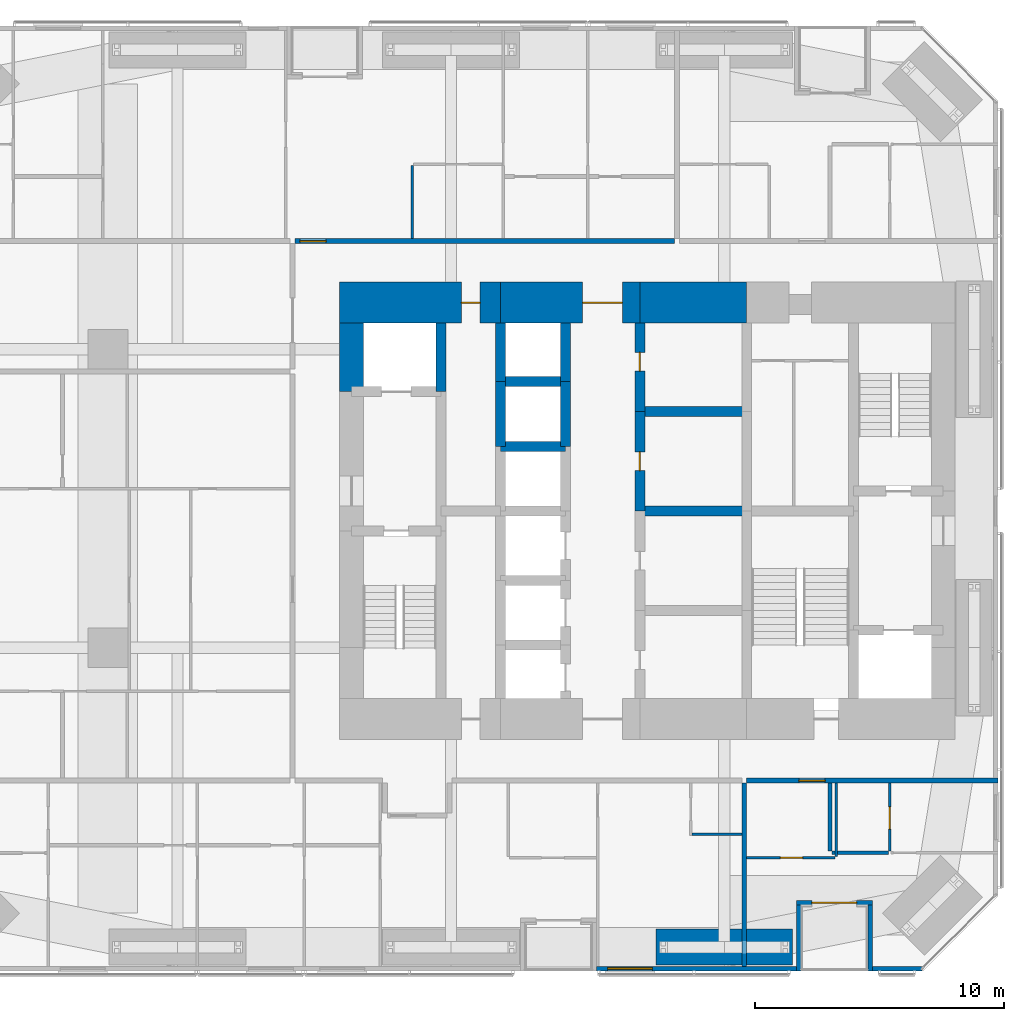
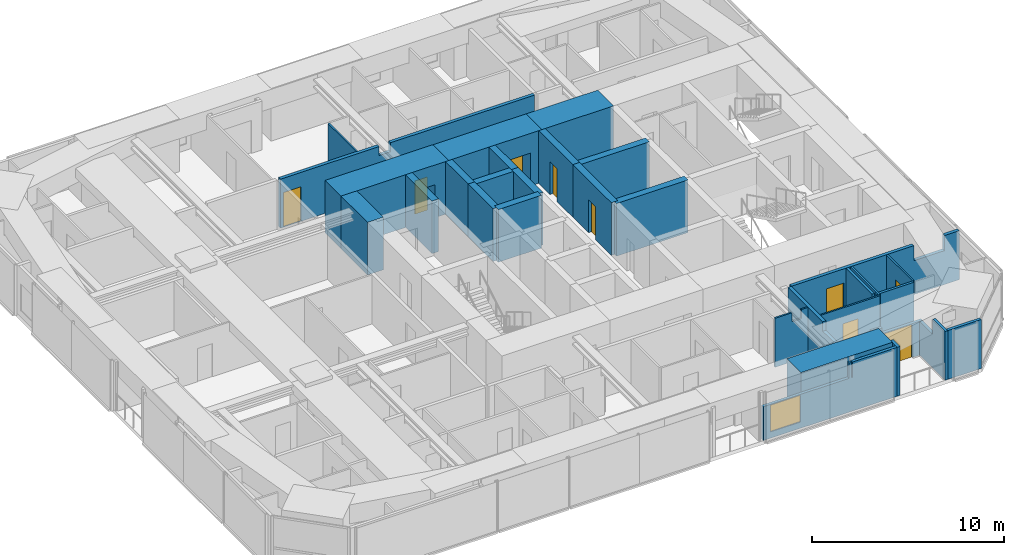
# One storey, part 20 of 24: 32 walls, 9 doors, 1 window, 10 openings.
"""IFC4 building model written with IfcOpenShell, lengths in metres."""

from ifc_helpers import new_model, si_unit, direction, frame, frame_2d, origin, place, context, subcontext, project, spatial, polyline, rectangle, outline, extrude, material, layer, layer_set, constituent, constituent_set, type_object, element, fill, save


model = new_model("IFC4")

# Units and contexts
model_context = context("Model", 3, precision=1e-05, world=origin(), true_north=direction((0.0, 1.0)))
body_context = subcontext(model_context, "Body", "Model", "MODEL_VIEW")
ifc_project = project(units=[si_unit("LENGTHUNIT", "METRE"), si_unit("AREAUNIT", "SQUARE_METRE"), si_unit("VOLUMEUNIT", "CUBIC_METRE"), si_unit("PLANEANGLEUNIT", "RADIAN"), si_unit("MASSUNIT", "GRAM", prefix="KILO")], contexts=[model_context])

# Site, building, storey
site_placement = place(None, origin())
site = spatial("IfcSite", under=ifc_project, at=site_placement, CompositionType="ELEMENT")
building_placement = place(site_placement, origin())
building = spatial("IfcBuilding", under=site, at=building_placement, Name="Jalousie Tower", CompositionType="ELEMENT")
storey_placement = place(building_placement, frame((0.0, 0.0, 61.199951171875)))
storey = spatial("IfcBuildingStorey", under=building, at=storey_placement, Name="L16", CompositionType="ELEMENT", Elevation=61.199951171875)

# Walls
ifc_material_1 = material(Name="Concrete block ASTM C90", Category="concrete")
ifc_constituent_1 = constituent(ifc_material_1, Name="Body")
ifc_material_2 = material(Name="Render")
ifc_constituent_2 = constituent(ifc_material_2, Name="Finish")
ifc_constituent_set_1 = constituent_set(constituents=[ifc_constituent_1, ifc_constituent_2])
wall_type_1 = type_object("IfcWallType", Name="BATHROOM WALL 150", PredefinedType="PLUMBINGWALL", material=ifc_constituent_set_1)
wall_1_placement = place(storey_placement, frame((39.324951171875, 4.74658203125, 0.0), z_axis=(0.0, 0.0, 1.0), x_axis=(1.0, 0.0, 0.0)))
element("IfcWall", 1, at=wall_1_placement, inside=storey, type_object=wall_type_1, Name="Bathroom Wall 150 L16", PredefinedType="PLUMBINGWALL", context=body_context, shape_type="SweptSolid", body=[
    extrude(rectangle(XDim=2.275146484375, YDim=0.14990234375, at=frame_2d((1.1376953125, 0.0))), origin(), (0.0, 0.0, 1.0), 3.110107421875),
])
wall_2_placement = place(storey_placement, frame((39.25, 4.82177734375, 0.0), z_axis=(0.0, 0.0, 1.0), x_axis=(0.0, 1.0, 0.0)))
element("IfcWall", 2, at=wall_2_placement, inside=storey, type_object=wall_type_1, Name="Bathroom Wall 150 L16", PredefinedType="PLUMBINGWALL", context=body_context, shape_type="SweptSolid", body=[
    extrude(rectangle(XDim=2.728271484375, YDim=0.14990234375, at=frame_2d((1.3642578125, 0.0))), origin(), (0.0, 0.0, 1.0), 3.110107421875),
])
ifc_material_3 = material(Name="Concrete f'c 120 MPa", Category="concrete")
ifc_layer_1 = layer(ifc_material_3, 1.64990234375)
ifc_layer_set_1 = layer_set([ifc_layer_1], Name="Concrete f'c 120 MPa")
wall_type_2 = type_object("IfcWallType", Name="CORE WALL 1650", PredefinedType="SHEAR", material=ifc_layer_set_1)
wall_3_placement = place(storey_placement, frame((35.89990234375, 26.875, 0.0), z_axis=(0.0, 0.0, 1.0), x_axis=(-1.0, 0.0, 0.0)))
element("IfcWall", 3, at=wall_3_placement, inside=storey, type_object=wall_type_2, Name="Core wall NB L16", PredefinedType="SHEAR", context=body_context, shape_type="SweptSolid", body=[
    extrude(rectangle(XDim=4.2998046875, YDim=1.64990234375, at=frame_2d((2.14990234375, 0.0))), origin(), (0.0, 0.0, 1.0), 3.35009765625),
])

# Wall, opening, door
wall_4_placement = place(storey_placement, frame((31.60009765625, 26.875, 0.0), z_axis=(0.0, 0.0, 1.0), x_axis=(-1.0, 0.0, 0.0)))
wall_4 = element("IfcWall", 4, at=wall_4_placement, inside=storey, type_object=wall_type_2, Name="Core wall NC L16", PredefinedType="SHEAR", context=body_context, shape_type="SweptSolid", body=[
    extrude(rectangle(XDim=5.60009765625, YDim=1.64990234375, at=frame_2d((2.800048828125, 0.0))), origin(), (0.0, 0.0, 1.0), 3.35009765625),
])
opening_1_placement = place(wall_4_placement, frame((0.699951171875, 0.0, 0.0)))
opening_1 = element("IfcOpeningElement", 5, at=opening_1_placement, cuts=wall_4, Name="Opening D15", PredefinedType="OPENING", context=body_context, shape_type="SweptSolid", body=[
    extrude(rectangle(XDim=1.60009765625, YDim=2.10009765625, at=frame_2d((0.800048828125, 1.050048828125))), frame((0.0, 0.8349609375, 0.0), z_axis=(0.0, -1.0, 0.0), x_axis=(1.0, 0.0, 0.0)), (0.0, 0.0, 1.0), 1.669921875),
])
ifc_material_4 = material(Name="Steel fire door", Category="steel")
door_type_1 = type_object("IfcDoorType", Name="LIFT LOBBY DOOR 1600", OperationType="DOUBLE_DOOR_SINGLE_SWING", PredefinedType="DOOR", material=ifc_material_4)
door_1_placement = place(opening_1_placement, origin())
door_1 = element("IfcDoor", 6, at=door_1_placement, inside=storey, type_object=door_type_1, Name="Lift lobby north door", OperationType="DOUBLE_DOOR_SINGLE_SWING", OverallHeight=2.10009765625, OverallWidth=1.60009765625, PredefinedType="DOOR", context=body_context, shape_type="SweptSolid", body=[
    extrude(rectangle(XDim=1.60009765625, YDim=2.10009765625, at=frame_2d((0.800048828125, 1.050048828125))), frame((0.0, 0.02490234375, 0.0), z_axis=(0.0, -1.0, 0.0), x_axis=(1.0, 0.0, 0.0)), (0.0, 0.0, 1.0), 0.050048828125),
])
fill(opening_1, door_1)

wall_5_placement = place(storey_placement, frame((26.0, 26.875, 0.0), z_axis=(0.0, 0.0, 1.0), x_axis=(-1.0, 0.0, 0.0)))
wall_5 = element("IfcWall", 7, at=wall_5_placement, inside=storey, type_object=wall_type_2, Name="Core wall ND L16", PredefinedType="SHEAR", context=body_context, shape_type="SweptSolid", body=[
    extrude(rectangle(XDim=6.47509765625, YDim=1.64990234375, at=frame_2d((3.237548828125, 0.0))), origin(), (0.0, 0.0, 1.0), 3.35009765625),
])
opening_2_placement = place(wall_5_placement, frame((0.824951171875, 0.0, 0.0)))
opening_2 = element("IfcOpeningElement", 8, at=opening_2_placement, cuts=wall_5, Name="Opening D16", PredefinedType="OPENING", context=body_context, shape_type="SweptSolid", body=[
    extrude(rectangle(XDim=0.75, YDim=2.10009765625, at=frame_2d((0.375, 1.050048828125))), frame((0.0, 0.8349609375, 0.0), z_axis=(0.0, -1.0, 0.0), x_axis=(1.0, 0.0, 0.0)), (0.0, 0.0, 1.0), 1.669921875),
])
ifc_material_5 = material(Name="Steel fire door", Category="steel")
door_type_2 = type_object("IfcDoorType", Name="RISER DOOR 750", OperationType="SINGLE_SWING_LEFT", PredefinedType="DOOR", material=ifc_material_5)
door_2_placement = place(opening_2_placement, origin())
door_2 = element("IfcDoor", 9, at=door_2_placement, inside=storey, type_object=door_type_2, Name="North riser door", OperationType="SINGLE_SWING_RIGHT", OverallHeight=2.10009765625, OverallWidth=0.75, PredefinedType="DOOR", context=body_context, shape_type="SweptSolid", body=[
    extrude(rectangle(XDim=0.75, YDim=2.10009765625, at=frame_2d((0.375, 1.050048828125))), frame((0.0, 0.02490234375, 0.0), z_axis=(0.0, -1.0, 0.0), x_axis=(1.0, 0.0, 0.0)), (0.0, 0.0, 1.0), 0.050048828125),
])
fill(opening_2, door_2)

# Walls
ifc_material_6 = material(Name="Concrete f'c 120 MPa", Category="concrete")
ifc_layer_2 = layer(ifc_material_6, 0.39990234375)
ifc_layer_set_2 = layer_set([ifc_layer_2], Name="Concrete f'c 120 MPa")
wall_type_3 = type_object("IfcWallType", Name="CORE WALL 400", PredefinedType="SHEAR", material=ifc_layer_set_2)
wall_6_placement = place(storey_placement, frame((23.60009765625, 23.300048828125, 0.0), z_axis=(0.0, 0.0, 1.0), x_axis=(0.0, 1.0, 0.0)))
element("IfcWall", 10, at=wall_6_placement, inside=storey, type_object=wall_type_3, Name="Core wall X23.6C L16", PredefinedType="SHEAR", context=body_context, shape_type="SweptSolid", body=[
    extrude(rectangle(XDim=2.75, YDim=0.39990234375, at=frame_2d((1.375, 0.0))), origin(), (0.0, 0.0, 1.0), 3.35009765625),
])
wall_7_placement = place(storey_placement, frame((26.0, 21.10009765625, 0.0), z_axis=(0.0, 0.0, 1.0), x_axis=(0.0, 1.0, 0.0)))
element("IfcWall", 11, at=wall_7_placement, inside=storey, type_object=wall_type_3, Name="Core wall X26E L16", PredefinedType="SHEAR", context=body_context, shape_type="SweptSolid", body=[
    extrude(rectangle(XDim=2.599853515625, YDim=0.39990234375, at=frame_2d((1.2998046875, 0.0))), origin(), (0.0, 0.0, 1.0), 3.35009765625),
])
wall_8_placement = place(storey_placement, frame((26.0, 23.699951171875, 0.0), z_axis=(0.0, 0.0, 1.0), x_axis=(0.0, 1.0, 0.0)))
element("IfcWall", 12, at=wall_8_placement, inside=storey, type_object=wall_type_3, Name="Core wall X26F L16", PredefinedType="SHEAR", context=body_context, shape_type="SweptSolid", body=[
    extrude(rectangle(XDim=2.35009765625, YDim=0.39990234375, at=frame_2d((1.175048828125, 0.0))), origin(), (0.0, 0.0, 1.0), 3.35009765625),
])
wall_9_placement = place(storey_placement, frame((28.60009765625, 21.10009765625, 0.0), z_axis=(0.0, 0.0, 1.0), x_axis=(0.0, 1.0, 0.0)))
element("IfcWall", 13, at=wall_9_placement, inside=storey, type_object=wall_type_3, Name="Core wall X28.6E L16", PredefinedType="SHEAR", context=body_context, shape_type="SweptSolid", body=[
    extrude(rectangle(XDim=2.599853515625, YDim=0.39990234375, at=frame_2d((1.2998046875, 0.0))), origin(), (0.0, 0.0, 1.0), 3.35009765625),
])
wall_10_placement = place(storey_placement, frame((28.60009765625, 23.699951171875, 0.0), z_axis=(0.0, 0.0, 1.0), x_axis=(0.0, 1.0, 0.0)))
element("IfcWall", 14, at=wall_10_placement, inside=storey, type_object=wall_type_3, Name="Core wall X28.6F L16", PredefinedType="SHEAR", context=body_context, shape_type="SweptSolid", body=[
    extrude(rectangle(XDim=2.35009765625, YDim=0.39990234375, at=frame_2d((1.175048828125, 0.0))), origin(), (0.0, 0.0, 1.0), 3.35009765625),
])

# Wall, opening, door
wall_11_placement = place(storey_placement, frame((31.60009765625, 18.5, 0.0), z_axis=(0.0, 0.0, 1.0), x_axis=(0.0, 1.0, 0.0)))
wall_11 = element("IfcWall", 15, at=wall_11_placement, inside=storey, type_object=wall_type_3, Name="Core wall X31.6C L16", PredefinedType="SHEAR", context=body_context, shape_type="SweptSolid", body=[
    extrude(rectangle(XDim=4.0, YDim=0.39990234375, at=frame_2d((2.0, 0.0))), origin(), (0.0, 0.0, 1.0), 3.35009765625),
])
opening_3_placement = place(wall_11_placement, frame((1.625, 0.0, 0.0)))
opening_3 = element("IfcOpeningElement", 16, at=opening_3_placement, cuts=wall_11, Name="Opening D16", PredefinedType="OPENING", context=body_context, shape_type="SweptSolid", body=[
    extrude(rectangle(XDim=0.75, YDim=2.10009765625, at=frame_2d((0.375, 1.050048828125))), frame((0.0, 0.2099609375, 0.0), z_axis=(0.0, -1.0, 0.0), x_axis=(1.0, 0.0, 0.0)), (0.0, 0.0, 1.0), 0.419921875),
])
door_3_placement = place(opening_3_placement, frame((0.75, 0.0, 0.0), z_axis=(0.0, 0.0, 1.0), x_axis=(-1.0, 0.0, 0.0)))
door_3 = element("IfcDoor", 17, at=door_3_placement, inside=storey, type_object=door_type_2, Name="Telecom Room door", OperationType="SINGLE_SWING_LEFT", OverallHeight=2.10009765625, OverallWidth=0.75, PredefinedType="DOOR", context=body_context, shape_type="SweptSolid", body=[
    extrude(rectangle(XDim=0.75, YDim=2.10009765625, at=frame_2d((0.375, 1.050048828125))), frame((0.0, 0.02490234375, 0.0), z_axis=(0.0, -1.0, 0.0), x_axis=(1.0, 0.0, 0.0)), (0.0, 0.0, 1.0), 0.050048828125),
])
fill(opening_3, door_3)

wall_12_placement = place(storey_placement, frame((31.60009765625, 22.5, 0.0), z_axis=(0.0, 0.0, 1.0), x_axis=(0.0, 1.0, 0.0)))
wall_12 = element("IfcWall", 18, at=wall_12_placement, inside=storey, type_object=wall_type_3, Name="Core wall X31.6D L16", PredefinedType="SHEAR", context=body_context, shape_type="SweptSolid", body=[
    extrude(rectangle(XDim=3.550048828125, YDim=0.39990234375, at=frame_2d((1.77490234375, 0.0))), origin(), (0.0, 0.0, 1.0), 3.35009765625),
])
opening_4_placement = place(wall_12_placement, frame((1.625, 0.0, 0.0)))
opening_4 = element("IfcOpeningElement", 19, at=opening_4_placement, cuts=wall_12, Name="Opening D16", PredefinedType="OPENING", context=body_context, shape_type="SweptSolid", body=[
    extrude(rectangle(XDim=0.75, YDim=2.10009765625, at=frame_2d((0.375, 1.050048828125))), frame((0.0, 0.2099609375, 0.0), z_axis=(0.0, -1.0, 0.0), x_axis=(1.0, 0.0, 0.0)), (0.0, 0.0, 1.0), 0.419921875),
])
door_4_placement = place(opening_4_placement, frame((0.75, 0.0, 0.0), z_axis=(0.0, 0.0, 1.0), x_axis=(-1.0, 0.0, 0.0)))
door_4 = element("IfcDoor", 20, at=door_4_placement, inside=storey, type_object=door_type_2, Name="Water Services Room door", OperationType="SINGLE_SWING_LEFT", OverallHeight=2.10009765625, OverallWidth=0.75, PredefinedType="DOOR", context=body_context, shape_type="SweptSolid", body=[
    extrude(rectangle(XDim=0.75, YDim=2.10009765625, at=frame_2d((0.375, 1.050048828125))), frame((0.0, 0.02490234375, 0.0), z_axis=(0.0, -1.0, 0.0), x_axis=(1.0, 0.0, 0.0)), (0.0, 0.0, 1.0), 0.050048828125),
])
fill(opening_4, door_4)

# Walls
for number, where, z_axis, x_axis, name in (
    (21, (26.0, 21.10009765625, 0.0), (0.0, 0.0, 1.0), (1.0, 0.0, 0.0), "Core wall Y26-21.1 L16"),
    (22, (26.0, 23.699951171875, 0.0), (0.0, 0.0, 1.0), (1.0, 0.0, 0.0), "Core wall Y26-23.7 L16"),
):
    element("IfcWall", number, at=place(storey_placement, frame(where, z_axis=z_axis, x_axis=x_axis)), inside=storey, type_object=wall_type_3, Name=name, PredefinedType="SHEAR", context=body_context, shape_type="SweptSolid", body=[
        extrude(rectangle(XDim=2.60009765625, YDim=0.39990234375, at=frame_2d((1.300048828125, 0.0))), origin(), (0.0, 0.0, 1.0), 3.35009765625),
    ])
for number, where, z_axis, x_axis, name in (
    (23, (31.60009765625, 18.5, 0.0), (0.0, 0.0, 1.0), (1.0, 0.0, 0.0), "Core wall Y31.6-18.5 L16"),
    (24, (31.60009765625, 22.5, 0.0), (0.0, 0.0, 1.0), (1.0, 0.0, 0.0), "Core wall Y31.6-22.5 L16"),
):
    element("IfcWall", number, at=place(storey_placement, frame(where, z_axis=z_axis, x_axis=x_axis)), inside=storey, type_object=wall_type_3, Name=name, PredefinedType="SHEAR", context=body_context, shape_type="SweptSolid", body=[
        extrude(rectangle(XDim=4.2998046875, YDim=0.39990234375, at=frame_2d((2.14990234375, 0.0))), origin(), (0.0, 0.0, 1.0), 3.35009765625),
    ])
ifc_material_7 = material(Name="Concrete f'c 120 MPa", Category="concrete")
ifc_layer_3 = layer(ifc_material_7, 0.949951171875)
ifc_layer_set_3 = layer_set([ifc_layer_3], Name="Concrete f'c 120 MPa")
wall_type_4 = type_object("IfcWallType", Name="CORE WALL 950", PredefinedType="SHEAR", material=ifc_layer_set_3)
wall_13_placement = place(storey_placement, frame((20.0, 26.050048828125, 0.0), z_axis=(0.0, 0.0, 1.0), x_axis=(0.0, -1.0, 0.0)))
element("IfcWall", 25, at=wall_13_placement, inside=storey, type_object=wall_type_4, Name="Core wall WA L16", PredefinedType="SHEAR", context=body_context, shape_type="SweptSolid", body=[
    extrude(rectangle(XDim=2.75, YDim=0.949951171875, at=frame_2d((1.375, 0.0))), origin(), (0.0, 0.0, 1.0), 3.35009765625),
])

# Wall, opening, door
ifc_material_8 = material(Name="Concrete block ASTM C90", Category="concrete")
ifc_constituent_3 = constituent(ifc_material_8, Name="Body")
ifc_material_9 = material(Name="Render")
ifc_constituent_4 = constituent(ifc_material_9, Name="Finish")
ifc_constituent_set_2 = constituent_set(constituents=[ifc_constituent_3, ifc_constituent_4])
wall_type_5 = type_object("IfcWallType", Name="CORRIDOR WALL 200", PredefinedType="PARTITIONING", material=ifc_constituent_set_2)
wall_14_placement = place(storey_placement, frame((35.89990234375, 7.64990234375, 0.0), z_axis=(0.0, 0.0, 1.0), x_axis=(1.0, 0.0, 0.0)))
wall_14 = element("IfcWall", 26, at=wall_14_placement, inside=storey, type_object=wall_type_5, Name="Corridor Wall 200 L16", PredefinedType="PARTITIONING", context=body_context, shape_type="SweptSolid", body=[
    extrude(outline(polyline([(0.0, 0.0), (10.10009765625, 0.0), (10.10009765625, 3.110107421875), (9.204345703125, 3.110107421875), (9.204345703125, 2.150146484375), (7.360595703125, 2.150146484375), (7.360595703125, 3.110107421875), (0.0, 3.110107421875), (0.0, 0.0)])), frame((0.0, 0.10009765625, 0.0), z_axis=(0.0, -1.0, 0.0), x_axis=(1.0, 0.0, 0.0)), (0.0, 0.0, 1.0), 0.199951171875),
])
opening_5_placement = place(wall_14_placement, frame((2.10009765625, 0.0, 0.0)))
opening_5 = element("IfcOpeningElement", 27, at=opening_5_placement, cuts=wall_14, Name="Opening D1", PredefinedType="OPENING", context=body_context, shape_type="SweptSolid", body=[
    extrude(rectangle(XDim=1.050048828125, YDim=2.199951171875, at=frame_2d((0.52490234375, 1.10009765625))), frame((0.0, 0.10986328125, 0.0), z_axis=(0.0, -1.0, 0.0), x_axis=(1.0, 0.0, 0.0)), (0.0, 0.0, 1.0), 0.219970703125),
])
ifc_material_10 = material(Name="Timber fire door", Category="wood")
door_type_3 = type_object("IfcDoorType", Name="APARTMENT ENTRANCE DOOR 1050", OperationType="SINGLE_SWING_LEFT", PredefinedType="DOOR", material=ifc_material_10)
door_5_placement = place(opening_5_placement, frame((1.050048828125, 0.0, 0.0), z_axis=(0.0, 0.0, 1.0), x_axis=(-1.0, 0.0, 0.0)))
door_5 = element("IfcDoor", 28, at=door_5_placement, inside=storey, type_object=door_type_3, Name="Apartment 1602 entrance", OperationType="SINGLE_SWING_LEFT", OverallHeight=2.199951171875, OverallWidth=1.050048828125, PredefinedType="DOOR", context=body_context, shape_type="SweptSolid", body=[
    extrude(rectangle(XDim=1.050048828125, YDim=2.199951171875, at=frame_2d((0.52490234375, 1.10009765625))), frame((0.0, 0.02490234375, 0.0), z_axis=(0.0, -1.0, 0.0), x_axis=(1.0, 0.0, 0.0)), (0.0, 0.0, 1.0), 0.050048828125),
])
fill(opening_5, door_5)

wall_15_placement = place(storey_placement, frame((17.72509765625, 29.35009765625, 0.0), z_axis=(0.0, 0.0, 1.0), x_axis=(1.0, 0.0, 0.0)))
wall_15 = element("IfcWall", 29, at=wall_15_placement, inside=storey, type_object=wall_type_5, Name="Corridor Wall 200 L16", PredefinedType="PARTITIONING", context=body_context, shape_type="SweptSolid", body=[
    extrude(outline(polyline([(0.0, 0.0), (15.27490234375, 0.0), (15.27490234375, 3.110107421875), (6.6123046875, 3.110107421875), (6.6123046875, 2.541015625), (5.9375, 2.541015625), (5.9375, 3.110107421875), (0.0, 3.110107421875), (0.0, 0.0)])), frame((0.0, 0.10009765625, 0.0), z_axis=(0.0, -1.0, 0.0), x_axis=(1.0, 0.0, 0.0)), (0.0, 0.0, 1.0), 0.199951171875),
])
opening_6_placement = place(wall_15_placement, frame((0.199951171875, 0.0, 0.0)))
opening_6 = element("IfcOpeningElement", 30, at=opening_6_placement, cuts=wall_15, Name="Opening D1", PredefinedType="OPENING", context=body_context, shape_type="SweptSolid", body=[
    extrude(rectangle(XDim=1.050048828125, YDim=2.199951171875, at=frame_2d((0.52490234375, 1.10009765625))), frame((0.0, 0.10986328125, 0.0), z_axis=(0.0, -1.0, 0.0), x_axis=(1.0, 0.0, 0.0)), (0.0, 0.0, 1.0), 0.219970703125),
])
door_6_placement = place(opening_6_placement, origin())
door_6 = element("IfcDoor", 31, at=door_6_placement, inside=storey, type_object=door_type_3, Name="Apartment 1603 entrance", OperationType="SINGLE_SWING_LEFT", OverallHeight=2.199951171875, OverallWidth=1.050048828125, PredefinedType="DOOR", context=body_context, shape_type="SweptSolid", body=[
    extrude(rectangle(XDim=1.050048828125, YDim=2.199951171875, at=frame_2d((0.52490234375, 1.10009765625))), frame((0.0, 0.02490234375, 0.0), z_axis=(0.0, -1.0, 0.0), x_axis=(1.0, 0.0, 0.0)), (0.0, 0.0, 1.0), 0.050048828125),
])
fill(opening_6, door_6)

# Wall, opening, window
ifc_material_11 = material(Name="Concrete f'c 40 MPa", Category="concrete")
ifc_constituent_5 = constituent(ifc_material_11, Name="Body")
ifc_material_12 = material(Name="Render, pastel coral")
ifc_constituent_6 = constituent(ifc_material_12, Name="Finish")
ifc_constituent_set_3 = constituent_set(constituents=[ifc_constituent_5, ifc_constituent_6])
wall_type_6 = type_object("IfcWallType", Name="EXTERNAL WALL 175 CORAL RENDER", PredefinedType="SOLIDWALL", material=ifc_constituent_set_3)
wall_16_placement = place(storey_placement, frame((29.85009765625, 0.08740234375, 0.0), z_axis=(0.0, 0.0, 1.0), x_axis=(1.0, 0.0, 0.0)))
wall_16 = element("IfcWall", 32, at=wall_16_placement, inside=storey, type_object=wall_type_6, Name="External Wall 175 Coral Render L16", PredefinedType="SOLIDWALL", context=body_context, shape_type="SweptSolid", body=[
    extrude(outline(polyline([(0.0, 0.0), (8.0498046875, 0.0), (8.050048828125, 3.110107421875), (5.35400390625, 3.110107421875), (5.35400390625, 2.150146484375), (5.3056640625, 2.150146484375), (5.3056640625, 3.110107421875), (5.14990234375, 3.110107421875), (5.14990234375, 2.150146484375), (0.0, 2.150146484375), (0.0, 0.0)])), frame((0.0, 0.08740234375, 0.0), z_axis=(0.0, -1.0, 0.0), x_axis=(1.0, 0.0, 0.0)), (0.0, 0.0, 1.0), 0.175048828125),
])
opening_7_placement = place(wall_16_placement, frame((0.449951171875, 0.0, 0.39990234375)))
opening_7 = element("IfcOpeningElement", 33, at=opening_7_placement, cuts=wall_16, Name="Opening W-BED170", PredefinedType="OPENING", context=body_context, shape_type="SweptSolid", body=[
    extrude(rectangle(XDim=1.800048828125, YDim=1.699951171875, at=frame_2d((0.89990234375, 0.85009765625))), frame((0.0, 0.097412109375, 0.0), z_axis=(0.0, -1.0, 0.0), x_axis=(1.0, 0.0, 0.0)), (0.0, 0.0, 1.0), 0.195068359375),
])
ifc_material_13 = material(Name="Aluminium frame, impact-rated glazing", Category="aluminium")
window_type = type_object("IfcWindowType", Name="WINDOW BED 1800x1700", PartitioningType="SINGLE_PANEL", PredefinedType="WINDOW", material=ifc_material_13)
window_placement = place(opening_7_placement, origin())
window = element("IfcWindow", 34, at=window_placement, inside=storey, type_object=window_type, Name="Apartment 1601 study window", OverallHeight=1.699951171875, OverallWidth=1.800048828125, PartitioningType="SINGLE_PANEL", PredefinedType="WINDOW", context=body_context, shape_type="SweptSolid", body=[
    extrude(rectangle(XDim=1.800048828125, YDim=1.699951171875, at=frame_2d((0.89990234375, 0.85009765625))), frame((0.0, 0.030029296875, 0.0), z_axis=(0.0, -1.0, 0.0), x_axis=(1.0, 0.0, 0.0)), (0.0, 0.0, 1.0), 0.06005859375),
])
fill(opening_7, window)

# Walls
wall_17_placement = place(storey_placement, frame((40.949951171875, 0.08740234375, 0.0), z_axis=(0.0, 0.0, 1.0), x_axis=(1.0, 0.0, 0.0)))
element("IfcWall", 35, at=wall_17_placement, inside=storey, type_object=wall_type_6, Name="External Wall 175 Coral Render L16", PredefinedType="SOLIDWALL", context=body_context, shape_type="SweptSolid", body=[
    extrude(rectangle(XDim=1.998779296875, YDim=0.175048828125, at=frame_2d((0.99951171875, 0.0))), origin(), (0.0, 0.0, 1.0), 3.110107421875),
])
wall_18_placement = place(storey_placement, frame((37.89990234375, 2.737548828125, 0.0), z_axis=(0.0, 0.0, 1.0), x_axis=(1.0, 0.0, 0.0)))
element("IfcWall", 36, at=wall_18_placement, inside=storey, type_object=wall_type_6, Name="External Wall 175 Coral Render L16-A", PredefinedType="SOLIDWALL", context=body_context, shape_type="SweptSolid", body=[
    extrude(rectangle(XDim=0.625, YDim=0.175048828125, at=frame_2d((0.3125, 0.0))), origin(), (0.0, 0.0, 1.0), 2.510009765625),
])

# Wall, opening, door
wall_19_placement = place(storey_placement, frame((38.52490234375, 2.737548828125, 0.0), z_axis=(0.0, 0.0, 1.0), x_axis=(1.0, 0.0, 0.0)))
wall_19 = element("IfcWall", 37, at=wall_19_placement, inside=storey, type_object=wall_type_6, Name="External Wall 175 Coral Render L16-B", PredefinedType="SOLIDWALL", context=body_context, shape_type="SweptSolid", body=[
    extrude(rectangle(XDim=2.425048828125, YDim=0.175048828125, at=frame_2d((1.21240234375, 0.0))), origin(), (0.0, 0.0, 1.0), 2.150146484375),
])
opening_8_placement = place(wall_19_placement, origin())
opening_8 = element("IfcOpeningElement", 38, at=opening_8_placement, cuts=wall_19, Name="Opening D-BAL21", PredefinedType="OPENING", context=body_context, shape_type="SweptSolid", body=[
    extrude(rectangle(XDim=1.800048828125, YDim=2.10009765625, at=frame_2d((0.89990234375, 1.050048828125))), frame((0.0, 0.097412109375, 0.0), z_axis=(0.0, -1.0, 0.0), x_axis=(1.0, 0.0, 0.0)), (0.0, 0.0, 1.0), 0.195068359375),
])
ifc_material_14 = material(Name="Aluminium frame, impact-rated glazing", Category="aluminium")
door_type_4 = type_object("IfcDoorType", Name="BALCONY DOOR 1800x2100", OperationType="SLIDING_TO_LEFT", PredefinedType="DOOR", material=ifc_material_14)
door_7_placement = place(opening_8_placement, origin())
door_7 = element("IfcDoor", 39, at=door_7_placement, inside=storey, type_object=door_type_4, Name="Apartment 1602 living and dining room loggia door", OperationType="SLIDING_TO_LEFT", OverallHeight=2.10009765625, OverallWidth=1.800048828125, PredefinedType="DOOR", context=body_context, shape_type="SweptSolid", body=[
    extrude(rectangle(XDim=1.800048828125, YDim=2.10009765625, at=frame_2d((0.89990234375, 1.050048828125))), frame((0.0, 0.02490234375, 0.0), z_axis=(0.0, -1.0, 0.0), x_axis=(1.0, 0.0, 0.0)), (0.0, 0.0, 1.0), 0.050048828125),
])
fill(opening_8, door_7)

# Walls
wall_20_placement = place(storey_placement, frame((37.987548828125, 0.0, 0.0), z_axis=(0.0, 0.0, 1.0), x_axis=(0.0, 1.0, 0.0)))
element("IfcWall", 40, at=wall_20_placement, inside=storey, type_object=wall_type_6, Name="External Wall 175 Coral Render L16", PredefinedType="SOLIDWALL", context=body_context, shape_type="SweptSolid", body=[
    extrude(outline(polyline([(0.0, 0.0), (2.64990234375, 0.0), (2.64990234375, 2.510009765625), (2.3837890625, 2.510009765625), (2.3837890625, 2.150146484375), (0.716796875, 2.150146484375), (0.716796875, 3.110107421875), (0.0, 3.110107421875), (0.0, 0.0)])), frame((0.0, 0.08740234375, 0.0), z_axis=(0.0, -1.0, 0.0), x_axis=(1.0, 0.0, 0.0)), (0.0, 0.0, 1.0), 0.175048828125),
])
wall_21_placement = place(storey_placement, frame((40.862548828125, 0.0, 0.0), z_axis=(0.0, 0.0, 1.0), x_axis=(0.0, 1.0, 0.0)))
element("IfcWall", 41, at=wall_21_placement, inside=storey, type_object=wall_type_6, Name="External Wall 175 Coral Render L16", PredefinedType="SOLIDWALL", context=body_context, shape_type="SweptSolid", body=[
    extrude(outline(polyline([(0.0, 0.0), (2.64990234375, 0.0), (2.64990234375, 2.150146484375), (1.294189453125, 2.150146484375), (1.294189453125, 3.110107421875), (0.0, 3.110107421875), (0.0, 0.0)])), frame((0.0, 0.08740234375, 0.0), z_axis=(0.0, -1.0, 0.0), x_axis=(1.0, 0.0, 0.0)), (0.0, 0.0, 1.0), 0.175048828125),
])

# Wall, opening, door
ifc_material_15 = material(Name="Gypsum board", Category="gypsum")
ifc_constituent_7 = constituent(ifc_material_15, Name="Body")
ifc_material_16 = material(Name="Light-gauge steel studs ASTM A653 SS Grade 33", Category="steel")
ifc_constituent_8 = constituent(ifc_material_16, Name="Framing")
ifc_constituent_set_4 = constituent_set(constituents=[ifc_constituent_7, ifc_constituent_8])
wall_type_7 = type_object("IfcWallType", Name="PARTITION 100", PredefinedType="PARTITIONING", material=ifc_constituent_set_4)
wall_22_placement = place(storey_placement, frame((41.64990234375, 4.82177734375, 0.0), z_axis=(0.0, 0.0, 1.0), x_axis=(0.0, 1.0, 0.0)))
wall_22 = element("IfcWall", 42, at=wall_22_placement, inside=storey, type_object=wall_type_7, Name="Partition 100 L16", PredefinedType="PARTITIONING", context=body_context, shape_type="SweptSolid", body=[
    extrude(rectangle(XDim=2.728271484375, YDim=0.10009765625, at=frame_2d((1.3642578125, 0.0))), origin(), (0.0, 0.0, 1.0), 3.110107421875),
])
opening_9_placement = place(wall_22_placement, frame((0.876708984375, 0.0, 0.0)))
opening_9 = element("IfcOpeningElement", 43, at=opening_9_placement, cuts=wall_22, Name="Opening D3", PredefinedType="OPENING", context=body_context, shape_type="SweptSolid", body=[
    extrude(rectangle(XDim=0.89990234375, YDim=2.10009765625, at=frame_2d((0.449951171875, 1.050048828125))), frame((0.0, 0.06005859375, 0.0), z_axis=(0.0, -1.0, 0.0), x_axis=(1.0, 0.0, 0.0)), (0.0, 0.0, 1.0), 0.1201171875),
])
ifc_material_17 = material(Name="Timber door", Category="wood")
door_type_5 = type_object("IfcDoorType", Name="BATHROOM DOOR 900", OperationType="SINGLE_SWING_LEFT", PredefinedType="DOOR", material=ifc_material_17)
door_8_placement = place(opening_9_placement, origin())
door_8 = element("IfcDoor", 44, at=door_8_placement, inside=storey, type_object=door_type_5, Name="Apartment 1602 bedroom 1 bathroom door", OperationType="SINGLE_SWING_LEFT", OverallHeight=2.10009765625, OverallWidth=0.89990234375, PredefinedType="DOOR", context=body_context, shape_type="SweptSolid", body=[
    extrude(rectangle(XDim=0.89990234375, YDim=2.10009765625, at=frame_2d((0.449951171875, 1.050048828125))), frame((0.0, 0.02490234375, 0.0), z_axis=(0.0, -1.0, 0.0), x_axis=(1.0, 0.0, 0.0)), (0.0, 0.0, 1.0), 0.050048828125),
])
fill(opening_9, door_8)

wall_23_placement = place(storey_placement, frame((35.89990234375, 4.550048828125, 0.0), z_axis=(0.0, 0.0, 1.0), x_axis=(1.0, 0.0, 0.0)))
wall_23 = element("IfcWall", 45, at=wall_23_placement, inside=storey, type_object=wall_type_7, Name="Partition 100 L16", PredefinedType="PARTITIONING", context=body_context, shape_type="SweptSolid", body=[
    extrude(rectangle(XDim=3.550048828125, YDim=0.10009765625, at=frame_2d((1.77490234375, 0.0))), origin(), (0.0, 0.0, 1.0), 3.110107421875),
])
opening_10_placement = place(wall_23_placement, frame((1.35009765625, 0.0, 0.0)))
opening_10 = element("IfcOpeningElement", 46, at=opening_10_placement, cuts=wall_23, Name="Opening D7", PredefinedType="OPENING", context=body_context, shape_type="SweptSolid", body=[
    extrude(rectangle(XDim=0.89990234375, YDim=2.10009765625, at=frame_2d((0.449951171875, 1.050048828125))), frame((0.0, 0.06005859375, 0.0), z_axis=(0.0, -1.0, 0.0), x_axis=(1.0, 0.0, 0.0)), (0.0, 0.0, 1.0), 0.1201171875),
])
ifc_material_18 = material(Name="Timber door", Category="wood")
door_type_6 = type_object("IfcDoorType", Name="INTERNAL DOOR 900", OperationType="SINGLE_SWING_LEFT", PredefinedType="DOOR", material=ifc_material_18)
door_9_placement = place(opening_10_placement, frame((0.89990234375, 0.0, 0.0), z_axis=(0.0, 0.0, 1.0), x_axis=(-1.0, 0.0, 0.0)))
door_9 = element("IfcDoor", 47, at=door_9_placement, inside=storey, type_object=door_type_6, Name="Apartment 1602 kitchen door", OperationType="SINGLE_SWING_RIGHT", OverallHeight=2.10009765625, OverallWidth=0.89990234375, PredefinedType="DOOR", context=body_context, shape_type="SweptSolid", body=[
    extrude(rectangle(XDim=0.89990234375, YDim=2.10009765625, at=frame_2d((0.449951171875, 1.050048828125))), frame((0.0, 0.02490234375, 0.0), z_axis=(0.0, -1.0, 0.0), x_axis=(1.0, 0.0, 0.0)), (0.0, 0.0, 1.0), 0.050048828125),
])
fill(opening_10, door_9)

# Walls
for number, where, z_axis, x_axis, name in (
    (48, (39.5, 4.60009765625, 0.0), (0.0, 0.0, 1.0), (0.0, 1.0, 0.0), "Partition 100 L16"),
    (49, (22.449951171875, 32.39990234375, 0.0), (0.0, 0.0, 1.0), (0.0, -1.0, 0.0), "Partition 100 L16"),
):
    element("IfcWall", number, at=place(storey_placement, frame(where, z_axis=z_axis, x_axis=x_axis)), inside=storey, type_object=wall_type_7, Name=name, PredefinedType="PARTITIONING", context=body_context, shape_type="SweptSolid", body=[
        extrude(rectangle(XDim=2.949951171875, YDim=0.10009765625, at=frame_2d((1.47509765625, 0.0))), origin(), (0.0, 0.0, 1.0), 3.110107421875),
    ])
wall_24_placement = place(storey_placement, frame((35.699951171875, 5.5, 0.0), z_axis=(0.0, 0.0, 1.0), x_axis=(-1.0, 0.0, 0.0)))
element("IfcWall", 50, at=wall_24_placement, inside=storey, type_object=wall_type_7, Name="Partition 100 L16", PredefinedType="PARTITIONING", context=body_context, shape_type="SweptSolid", body=[
    extrude(outline(polyline([(0.0, 0.0), (2.0, 0.0), (2.0, 3.110107421875), (0.9873046875, 3.110107421875), (0.9873046875, 2.541015625), (0.41259765625, 2.541015625), (0.41259765625, 3.110107421875), (0.0, 3.110107421875), (0.0, 0.0)])), frame((0.0, 0.050048828125, 0.0), z_axis=(0.0, -1.0, 0.0), x_axis=(1.0, 0.0, 0.0)), (0.0, 0.0, 1.0), 0.10009765625),
])
ifc_material_19 = material(Name="Concrete block ASTM C90", Category="concrete")
ifc_constituent_9 = constituent(ifc_material_19, Name="Body")
ifc_material_20 = material(Name="Render")
ifc_constituent_10 = constituent(ifc_material_20, Name="Finish")
ifc_constituent_set_5 = constituent_set(constituents=[ifc_constituent_9, ifc_constituent_10])
wall_type_8 = type_object("IfcWallType", Name="PARTY WALL 200", PredefinedType="PARTITIONING", material=ifc_constituent_set_5)
wall_25_placement = place(storey_placement, frame((35.800048828125, 0.175048828125, 0.0), z_axis=(0.0, 0.0, 1.0), x_axis=(0.0, 1.0, 0.0)))
element("IfcWall", 51, at=wall_25_placement, inside=storey, type_object=wall_type_8, Name="Party Wall 200 L16", PredefinedType="PARTITIONING", context=body_context, shape_type="SweptSolid", body=[
    extrude(outline(polyline([(0.007568359375, 3.110107421875), (0.0, 3.110107421875), (0.0, 0.0), (0.52880859375, 0.0), (0.52880859375, 0.957275390625), (1.021240234375, 0.957275390625), (1.021240234375, 0.0), (7.375, 0.0), (7.375, 3.110107421875), (3.766357421875, 3.110107421875), (3.766357421875, 2.510009765625), (1.864013671875, 2.510009765625), (1.864013671875, 2.150146484375), (1.021240234375, 2.150146484375), (1.021240234375, 1.19287109375), (0.52880859375, 1.19287109375), (0.52880859375, 2.150146484375), (0.007568359375, 2.150146484375), (0.007568359375, 3.110107421875)])), frame((0.0, 0.10009765625, 0.0), z_axis=(0.0, -1.0, 0.0), x_axis=(1.0, 0.0, 0.0)), (0.0, 0.0, 1.0), 0.199951171875),
])
ifc_material_21 = material(Name="Concrete f'c 120 MPa", Category="concrete")
ifc_layer_4 = layer(ifc_material_21, 1.449951171875)
ifc_layer_set_4 = layer_set([ifc_layer_4], Name="Concrete f'c 120 MPa")
wall_type_9 = type_object("IfcWallType", Name="RC WALL PIER 1450", PredefinedType="SHEAR", material=ifc_layer_set_4)
wall_26_placement = place(storey_placement, frame((32.25, 0.949951171875, 0.0), z_axis=(0.0, 0.0, 1.0), x_axis=(1.0, 0.0, 0.0)))
element("IfcWall", 52, at=wall_26_placement, inside=storey, type_object=wall_type_9, Name="Wall pier 04 L16", PredefinedType="SHEAR", context=body_context, shape_type="SweptSolid", body=[
    extrude(rectangle(XDim=5.5, YDim=1.449951171875, at=frame_2d((2.75, 0.0))), origin(), (0.0, 0.0, 1.0), 3.35009765625),
])

save(model, "model.ifc")
